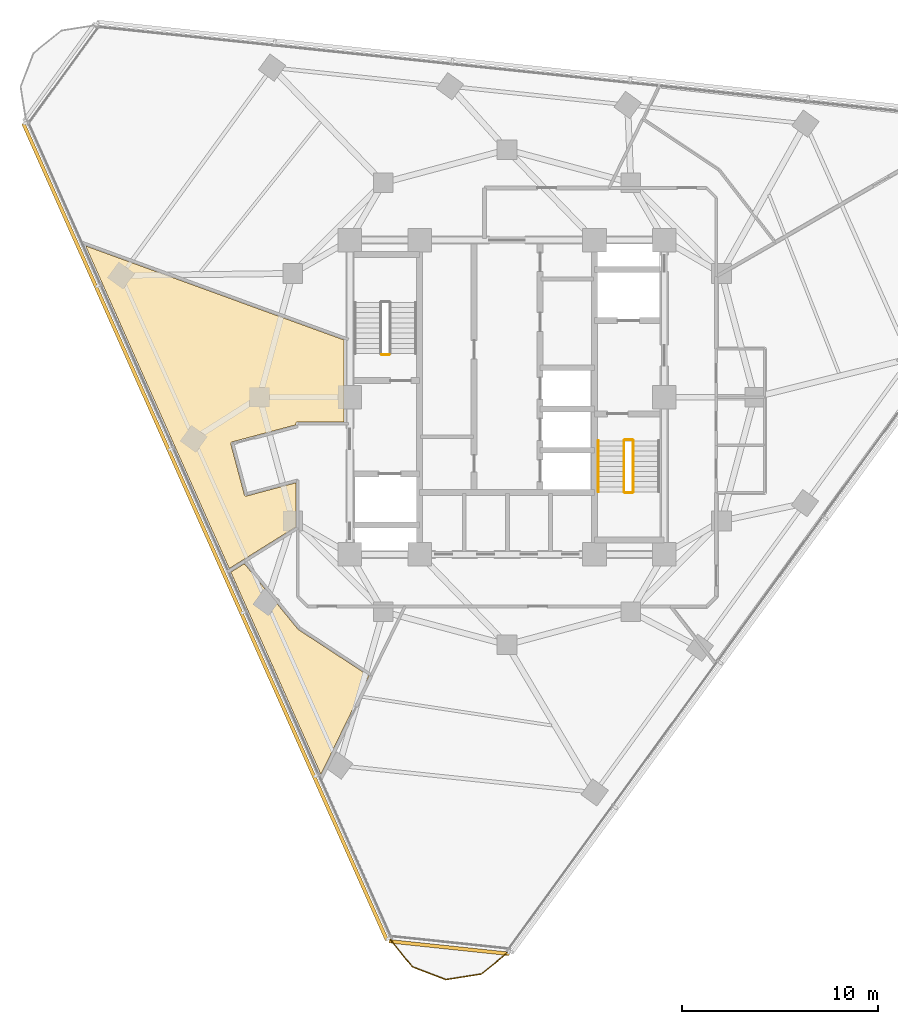
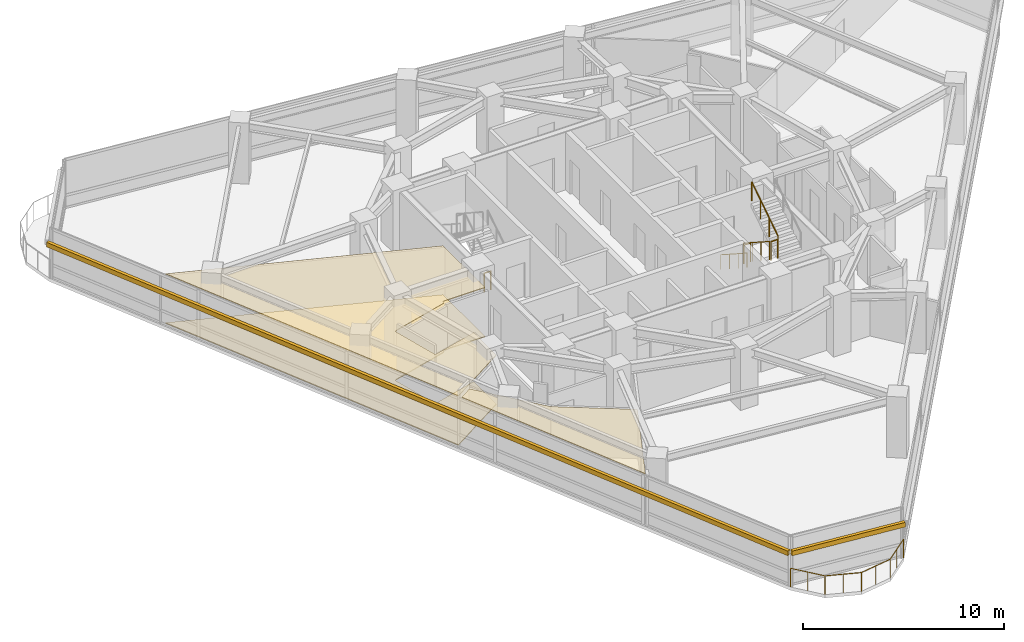
# One storey, part 12 of 14: 7 railings, 3 coverings, 2 shading devices.
"""IFC4 building model written with IfcOpenShell, lengths in metres."""

from ifc_helpers import new_model, si_unit, direction, frame, origin, origin_2d, place, context, subcontext, project, spatial, polyline, rectangle, circle, outline, extrude, material, layer, layer_set, type_object, element, save


model = new_model("IFC4")

# Units and contexts
model_context = context("Model", 3, precision=1e-05, world=origin(), true_north=direction((0.0, 1.0)))
body_context = subcontext(model_context, "Body", "Model", "MODEL_VIEW")
ifc_project = project(units=[si_unit("LENGTHUNIT", "METRE"), si_unit("AREAUNIT", "SQUARE_METRE"), si_unit("VOLUMEUNIT", "CUBIC_METRE"), si_unit("PLANEANGLEUNIT", "RADIAN"), si_unit("MASSUNIT", "GRAM", prefix="KILO")], contexts=[model_context])

# Site, building, storey
site_placement = place(None, origin())
site = spatial("IfcSite", under=ifc_project, at=site_placement, CompositionType="ELEMENT")
building_placement = place(site_placement, origin())
building = spatial("IfcBuilding", under=site, at=building_placement, Name="Terralouvre Media Tower", CompositionType="ELEMENT")
storey_placement = place(building_placement, frame((0.0, 0.0, 241.10009765625)))
storey = spatial("IfcBuildingStorey", under=building, at=storey_placement, Name="L62", CompositionType="ELEMENT", Elevation=241.10009765625)

# Coverings
ifc_material_1 = material(Name="Resilient elastomer acoustic broadcast studio flooring")
ifc_layer_1 = layer(ifc_material_1, 0.050048828125, Name="Broadcast Studio Acoustic Floating Floor FL-AC1")
ifc_layer_set_1 = layer_set([ifc_layer_1], Name="Resilient elastomer acoustic broadcast studio flooring")
covering_type_1 = type_object("IfcCoveringType", Name="Broadcast Studio Acoustic Floating Floor FL-AC1", PredefinedType="FLOORING", material=ifc_layer_set_1)
covering_1_placement = place(storey_placement, frame((0.0, 0.0, 0.0), z_axis=(0.0, 0.0, 1.0), x_axis=(0.587785252292, 0.809016994375, 0.0)))
element("IfcCovering", 1, at=covering_1_placement, inside=storey, type_object=covering_type_1, Name="L62 OB Coordination Crew Room 1 Acoustic Floating Floor", PredefinedType="FLOORING", context=body_context, shape_type="SweptSolid", body=[
    extrude(outline(polyline([(-11.657958984375, 4.81787109375), (-9.84228515625, 6.136962890625), (-11.8544921875, 7.766357421875), (-11.862060546875, 7.77294921875), (-11.86865234375, 7.7802734375), (-11.87451171875, 7.7880859375), (-11.879638671875, 7.79638671875), (-11.8837890625, 7.80517578125), (-11.88720703125, 7.814453125), (-11.8896484375, 7.823974609375), (-11.89111328125, 7.833740234375), (-11.8916015625, 7.843505859375), (-11.891357421875, 7.853271484375), (-11.889892578125, 7.863037109375), (-11.8876953125, 7.87255859375), (-11.88427734375, 7.8818359375), (-11.880126953125, 7.890625), (-11.875244140625, 7.899169921875), (-11.869384765625, 7.9072265625), (-10.200927734375, 9.966064453125), (-10.1943359375, 9.973388671875), (-10.187255859375, 9.97998046875), (-10.17919921875, 9.98583984375), (-10.1708984375, 9.990966796875), (-10.162109375, 9.9951171875), (-10.15283203125, 9.99853515625), (-10.143310546875, 10.0009765625), (-10.1337890625, 10.00244140625), (-10.123779296875, 10.003173828125), (-10.114013671875, 10.002685546875), (-10.104248046875, 10.001220703125), (-10.094970703125, 9.9990234375), (-10.08544921875, 9.99560546875), (-10.07666015625, 9.991455078125), (-10.068115234375, 9.986572265625), (-10.060302734375, 9.980712890625), (-7.45556640625, 7.870849609375), (-7.410888671875, 7.9033203125), (-7.402587890625, 7.90869140625), (-7.39404296875, 7.913330078125), (-7.384765625, 7.9169921875), (-7.37548828125, 7.919677734375), (-7.36572265625, 7.921630859375), (-7.35595703125, 7.92236328125), (-7.34619140625, 7.92236328125), (-7.33642578125, 7.92138671875), (-7.326904296875, 7.919189453125), (-7.317626953125, 7.916259765625), (-7.308349609375, 7.912353515625), (-7.2998046875, 7.90771484375), (-7.291748046875, 7.90234375), (-7.2841796875, 7.89599609375), (-7.27734375, 7.888916015625), (-7.271240234375, 7.88134765625), (-5.895751953125, 5.98828125), (-2.523681640625, 8.43798828125), (-6.37841796875, 21.881591796875), (-15.365478515625, 6.316162109375), (-14.558349609375, 5.98974609375), (-11.657958984375, 4.81787109375)])), origin(), (0.0, 0.0, 1.0), 0.0498046875),
])
ifc_material_2 = material(Name="Perforated aluminium acoustic ceiling baffle", Category="aluminium")
ifc_layer_2 = layer(ifc_material_2, 0.0400390625, Name="Perforated Acoustic Metal Tile Ceiling CL-AC1")
ifc_layer_set_2 = layer_set([ifc_layer_2], Name="Perforated aluminium acoustic ceiling baffle")
covering_type_2 = type_object("IfcCoveringType", Name="Perforated Acoustic Metal Tile Ceiling CL-AC1", PredefinedType="CEILING", material=ifc_layer_set_2)
covering_2_placement = place(storey_placement, frame((0.0, 0.0, 2.97998046875), z_axis=(0.0, 0.0, 1.0), x_axis=(0.587785252292, 0.809016994375, 0.0)))
element("IfcCovering", 2, at=covering_2_placement, inside=storey, type_object=covering_type_2, Name="L62 OB Coordination Crew Room 1 Acoustic Ceiling", PredefinedType="CEILING", context=body_context, shape_type="SweptSolid", body=[
    extrude(outline(polyline([(-11.657958984375, 4.81787109375), (-9.84228515625, 6.136962890625), (-11.8544921875, 7.766357421875), (-11.862060546875, 7.77294921875), (-11.86865234375, 7.7802734375), (-11.87451171875, 7.7880859375), (-11.879638671875, 7.79638671875), (-11.8837890625, 7.80517578125), (-11.88720703125, 7.814453125), (-11.8896484375, 7.823974609375), (-11.89111328125, 7.833740234375), (-11.8916015625, 7.843505859375), (-11.891357421875, 7.853271484375), (-11.889892578125, 7.863037109375), (-11.8876953125, 7.87255859375), (-11.88427734375, 7.8818359375), (-11.880126953125, 7.890625), (-11.875244140625, 7.899169921875), (-11.869384765625, 7.9072265625), (-10.200927734375, 9.966064453125), (-10.1943359375, 9.973388671875), (-10.187255859375, 9.97998046875), (-10.17919921875, 9.98583984375), (-10.1708984375, 9.990966796875), (-10.162109375, 9.9951171875), (-10.15283203125, 9.99853515625), (-10.143310546875, 10.0009765625), (-10.1337890625, 10.00244140625), (-10.123779296875, 10.003173828125), (-10.114013671875, 10.002685546875), (-10.104248046875, 10.001220703125), (-10.094970703125, 9.9990234375), (-10.08544921875, 9.99560546875), (-10.07666015625, 9.991455078125), (-10.068115234375, 9.986572265625), (-10.060302734375, 9.980712890625), (-7.45556640625, 7.870849609375), (-7.410888671875, 7.9033203125), (-7.402587890625, 7.90869140625), (-7.39404296875, 7.913330078125), (-7.384765625, 7.9169921875), (-7.37548828125, 7.919677734375), (-7.36572265625, 7.921630859375), (-7.35595703125, 7.92236328125), (-7.34619140625, 7.92236328125), (-7.33642578125, 7.92138671875), (-7.326904296875, 7.919189453125), (-7.317626953125, 7.916259765625), (-7.308349609375, 7.912353515625), (-7.2998046875, 7.90771484375), (-7.291748046875, 7.90234375), (-7.2841796875, 7.89599609375), (-7.27734375, 7.888916015625), (-7.271240234375, 7.88134765625), (-5.895751953125, 5.98828125), (-2.523681640625, 8.43798828125), (-6.37841796875, 21.881591796875), (-15.365478515625, 6.316162109375), (-14.558349609375, 5.98974609375), (-11.657958984375, 4.81787109375)])), origin(), (0.0, 0.0, 1.0), 0.0400390625),
])
covering_3_placement = place(storey_placement, frame((0.0, 0.0, 2.97998046875), z_axis=(0.0, 0.0, 1.0), x_axis=(0.587785252292, 0.809016994375, 0.0)))
element("IfcCovering", 3, at=covering_3_placement, inside=storey, type_object=covering_type_2, Name="L62 Sports Commentary Control Room 3 Acoustic Ceiling", PredefinedType="CEILING", context=body_context, shape_type="SweptSolid", body=[
    extrude(outline(polyline([(-15.8134765625, 1.646240234375), (-15.813232421875, 1.656494140625), (-15.812255859375, 1.666748046875), (-15.810302734375, 1.676513671875), (-14.71484375, 5.83740234375), (-15.46630859375, 6.141357421875), (-21.10107421875, -3.619140625), (-15.607177734375, -2.650390625), (-15.8134765625, 1.646240234375)])), origin(), (0.0, 0.0, 1.0), 0.0400390625),
])

# Railings
ifc_material_3 = material(Name="Stainless steel 316 handrail and balustrade", Category="steel")
ifc_layer_3 = layer(ifc_material_3, 0.06005859375, Name="Roof Edge Safety Guardrail GR-ROOF1")
ifc_layer_set_3 = layer_set([ifc_layer_3], Name="Stainless steel 316 handrail and balustrade")
railing_type_1 = type_object("IfcRailingType", Name="Roof Edge Safety Guardrail GR-ROOF1", PredefinedType="GUARDRAIL", material=ifc_layer_set_3)
railing_1_placement = place(storey_placement, frame((-5.98583984375, -27.5546875, 0.0)))
element("IfcRailing", 4, at=railing_1_placement, inside=storey, type_object=railing_type_1, Name="L62 Wind-Corner Perimeter Safety Guardrail C0", PredefinedType="GUARDRAIL", context=body_context, shape_type="SweptSolid", body=[
    extrude(circle(Radius=0.02099609375, at=origin_2d()), frame((0.0, 0.0, 1.12890625), z_axis=(0.629125588714, -0.777303668861, 0.0), x_axis=(0.777303668861, 0.629125588714, 0.0)), (0.0, 0.0, 1.0), 1.837158203125),
    extrude(circle(Radius=0.02099609375, at=origin_2d()), frame((1.15576171875, -1.427978515625, 1.12890625), z_axis=(0.933530480619, -0.358498035915, 0.0), x_axis=(0.358498035915, 0.933530480619, 0.0)), (0.0, 0.0, 1.0), 1.836669921875),
    extrude(circle(Radius=0.02099609375, at=origin_2d()), frame((2.870361328125, -2.08642578125, 1.12890625), z_axis=(0.987666866591, 0.156569986387, 0.0), x_axis=(-0.156569986387, 0.987666866591, 0.0)), (0.0, 0.0, 1.0), 1.8369140625),
    extrude(circle(Radius=0.02099609375, at=origin_2d()), frame((4.6845703125, -1.798828125, 1.12890625), z_axis=(0.777015769995, 0.629481130122, 0.0), x_axis=(-0.629481130122, 0.777015769995, 0.0)), (0.0, 0.0, 1.0), 1.8369140625),
    extrude(circle(Radius=0.01904296875, at=origin_2d()), origin(), (0.0, 0.0, 1.0), 1.10791015625),
    extrude(circle(Radius=0.01904296875, at=origin_2d()), frame((0.577880859375, -0.7138671875, 0.0)), (0.0, 0.0, 1.0), 1.10791015625),
    extrude(circle(Radius=0.01904296875, at=origin_2d()), frame((1.15576171875, -1.427978515625, 0.0)), (0.0, 0.0, 1.0), 1.10791015625),
    extrude(circle(Radius=0.01904296875, at=origin_2d()), frame((2.01318359375, -1.75732421875, 0.0)), (0.0, 0.0, 1.0), 1.10791015625),
    extrude(circle(Radius=0.01904296875, at=origin_2d()), frame((2.870361328125, -2.08642578125, 0.0)), (0.0, 0.0, 1.0), 1.10791015625),
    extrude(circle(Radius=0.01904296875, at=origin_2d()), frame((3.77734375, -1.942626953125, 0.0)), (0.0, 0.0, 1.0), 1.10791015625),
    extrude(circle(Radius=0.01904296875, at=origin_2d()), frame((4.6845703125, -1.798828125, 0.0)), (0.0, 0.0, 1.0), 1.10791015625),
    extrude(circle(Radius=0.01904296875, at=origin_2d()), frame((5.398193359375, -1.220703125, 0.0)), (0.0, 0.0, 1.0), 1.10791015625),
    extrude(circle(Radius=0.01904296875, at=origin_2d()), frame((6.11181640625, -0.642578125, 0.0)), (0.0, 0.0, 1.0), 1.10791015625),
])
ifc_material_4 = material(Name="Stainless steel 316 handrail and balustrade", Category="steel")
ifc_layer_4 = layer(ifc_material_4, 0.050048828125, Name="Stair Flight Wall Handrail HR-INT1")
ifc_layer_set_4 = layer_set([ifc_layer_4], Name="Stainless steel 316 handrail and balustrade")
railing_type_2 = type_object("IfcRailingType", Name="Stair Flight Wall Handrail HR-INT1", PredefinedType="HANDRAIL", material=ifc_layer_set_4)
railing_2_placement = place(storey_placement, frame((4.64990234375, -2.219970703125, 0.16796875)))
element("IfcRailing", 5, at=railing_2_placement, inside=storey, type_object=railing_type_2, Name="L62 ST-02 stair handrail 1", PredefinedType="HANDRAIL", context=body_context, shape_type="SweptSolid", body=[
    extrude(circle(Radius=0.02392578125, at=origin_2d()), frame((0.0, 0.0, 0.8759765625), z_axis=(0.0, -0.839648411786, 0.543130320075), x_axis=(1.0, 0.0, 0.0)), (0.0, 0.0, 1.0), 3.0966796875),
    extrude(circle(Radius=0.02099609375, at=origin_2d()), origin(), (0.0, 0.0, 1.0), 0.851806640625),
    extrude(circle(Radius=0.02099609375, at=origin_2d()), frame((0.0, -0.86669921875, 0.560546875)), (0.0, 0.0, 1.0), 0.851806640625),
    extrude(circle(Radius=0.02099609375, at=origin_2d()), frame((0.0, -1.7333984375, 1.121337890625)), (0.0, 0.0, 1.0), 0.851806640625),
    extrude(circle(Radius=0.02099609375, at=origin_2d()), frame((0.0, -2.60009765625, 1.681884765625)), (0.0, 0.0, 1.0), 0.851806640625),
])
ifc_material_5 = material(Name="Stainless steel 316 handrail and balustrade", Category="steel")
ifc_layer_5 = layer(ifc_material_5, 0.050048828125, Name="Stairwell Safety Guardrail GR-INT1")
ifc_layer_set_5 = layer_set([ifc_layer_5], Name="Stainless steel 316 handrail and balustrade")
railing_type_3 = type_object("IfcRailingType", Name="Stairwell Safety Guardrail GR-INT1", PredefinedType="GUARDRAIL", material=ifc_layer_set_5)
railing_3_placement = place(storey_placement, frame((-6.0, 2.169921875, 0.0)))
element("IfcRailing", 6, at=railing_3_placement, inside=storey, type_object=railing_type_3, Name="L62 ST-01 stair guard 4", PredefinedType="GUARDRAIL", context=body_context, shape_type="SweptSolid", body=[
    extrude(circle(Radius=0.02392578125, at=origin_2d()), frame((0.0, 0.0, 1.1259765625), z_axis=(-1.0, 0.0, 0.0), x_axis=(0.0, -1.0, 0.0)), (0.0, 0.0, 1.0), 0.3798828125),
    extrude(circle(Radius=0.02099609375, at=origin_2d()), origin(), (0.0, 0.0, 1.0), 1.101806640625),
    extrude(circle(Radius=0.02099609375, at=origin_2d()), frame((-0.3798828125, 0.0, 0.0)), (0.0, 0.0, 1.0), 1.101806640625),
])
railing_4_placement = place(storey_placement, frame((5.949951171875, -2.219970703125, 0.16796875)))
element("IfcRailing", 7, at=railing_4_placement, inside=storey, type_object=railing_type_3, Name="L62 ST-02 stair guard 1", PredefinedType="GUARDRAIL", context=body_context, shape_type="SweptSolid", body=[
    extrude(circle(Radius=0.02392578125, at=origin_2d()), frame((0.0, 0.0, 1.1259765625), z_axis=(0.0, -0.839648411786, 0.543130320075), x_axis=(1.0, 0.0, 0.0)), (0.0, 0.0, 1.0), 3.0966796875),
    extrude(circle(Radius=0.02099609375, at=origin_2d()), origin(), (0.0, 0.0, 1.0), 1.101806640625),
    extrude(circle(Radius=0.02099609375, at=origin_2d()), frame((0.0, -0.86669921875, 0.560546875)), (0.0, 0.0, 1.0), 1.101806640625),
    extrude(circle(Radius=0.02099609375, at=origin_2d()), frame((0.0, -1.7333984375, 1.121337890625)), (0.0, 0.0, 1.0), 1.101806640625),
    extrude(circle(Radius=0.02099609375, at=origin_2d()), frame((0.0, -2.60009765625, 1.681884765625)), (0.0, 0.0, 1.0), 1.101806640625),
])
railing_5_placement = place(storey_placement, frame((6.0, -4.8701171875, 1.849853515625)))
element("IfcRailing", 8, at=railing_5_placement, inside=storey, type_object=railing_type_3, Name="L62 ST-02 stair guard 2", PredefinedType="GUARDRAIL", context=body_context, shape_type="SweptSolid", body=[
    extrude(circle(Radius=0.02392578125, at=origin_2d()), frame((0.0, 0.0, 1.1259765625), z_axis=(1.0, 0.0, 0.0), x_axis=(0.0, 1.0, 0.0)), (0.0, 0.0, 1.0), 0.3798828125),
    extrude(circle(Radius=0.02099609375, at=origin_2d()), origin(), (0.0, 0.0, 1.0), 1.101806640625),
    extrude(circle(Radius=0.02099609375, at=origin_2d()), frame((0.3798828125, 0.0, 0.0)), (0.0, 0.0, 1.0), 1.101806640625),
])
railing_6_placement = place(storey_placement, frame((6.429931640625, -4.820068359375, 2.01806640625)))
element("IfcRailing", 9, at=railing_6_placement, inside=storey, type_object=railing_type_3, Name="L62 ST-02 stair guard 3", PredefinedType="GUARDRAIL", context=body_context, shape_type="SweptSolid", body=[
    extrude(circle(Radius=0.02392578125, at=origin_2d()), frame((0.0, 0.0, 1.1259765625), z_axis=(0.0, 0.839648411786, 0.543130320075), x_axis=(-1.0, 0.0, 0.0)), (0.0, 0.0, 1.0), 3.0966796875),
    extrude(circle(Radius=0.02099609375, at=origin_2d()), origin(), (0.0, 0.0, 1.0), 1.101806640625),
    extrude(circle(Radius=0.02099609375, at=origin_2d()), frame((0.0, 0.86669921875, 0.560546875)), (0.0, 0.0, 1.0), 1.101806640625),
    extrude(circle(Radius=0.02099609375, at=origin_2d()), frame((0.0, 1.7333984375, 1.121337890625)), (0.0, 0.0, 1.0), 1.101806640625),
    extrude(circle(Radius=0.02099609375, at=origin_2d()), frame((0.0, 2.60009765625, 1.681884765625)), (0.0, 0.0, 1.0), 1.101806640625),
])
railing_7_placement = place(storey_placement, frame((6.0, -2.169921875, 0.0)))
element("IfcRailing", 10, at=railing_7_placement, inside=storey, type_object=railing_type_3, Name="L62 ST-02 stair guard 4", PredefinedType="GUARDRAIL", context=body_context, shape_type="SweptSolid", body=[
    extrude(circle(Radius=0.02392578125, at=origin_2d()), frame((0.0, 0.0, 1.1259765625), z_axis=(1.0, 0.0, 0.0), x_axis=(0.0, 1.0, 0.0)), (0.0, 0.0, 1.0), 0.3798828125),
    extrude(circle(Radius=0.02099609375, at=origin_2d()), origin(), (0.0, 0.0, 1.0), 1.101806640625),
    extrude(circle(Radius=0.02099609375, at=origin_2d()), frame((0.3798828125, 0.0, 0.0)), (0.0, 0.0, 1.0), 1.101806640625),
])

# Shading devices
ifc_material_6 = material(Name="Extruded terracotta baguette sunshade louvres", Category="masonry")
shading_device_type = type_object("IfcShadingDeviceType", Name="Terracotta Baguette Sunshade Louvre Screen TB-LV1", PredefinedType="USERDEFINED", material=ifc_material_6)
shading_device_1_placement = place(storey_placement, frame((-15.3701171875, -6.84326171875, 2.02392578125), z_axis=(0.0, 0.0, 1.0), x_axis=(0.406736679636, -0.913545441365, 0.0)))
element("IfcShadingDevice", 11, at=shading_device_1_placement, inside=storey, type_object=shading_device_type, Name="CW-L62-F2 Terracotta Baguette Sunshade Louvre", ObjectType="BAGUETTE", PredefinedType="USERDEFINED", context=body_context, shape_type="SweptSolid", body=[
    extrude(rectangle(XDim=45.5, YDim=0.179931640625, at=origin_2d()), origin(), (0.0, 0.0, 1.0), 0.280029296875),
])
shading_device_2_placement = place(storey_placement, frame((-2.944091796875, -28.01025390625, 2.02392578125), z_axis=(0.0, 0.0, 1.0), x_axis=(0.994521944551, -0.104527995322, 0.0)))
element("IfcShadingDevice", 12, at=shading_device_2_placement, inside=storey, type_object=shading_device_type, Name="CW-L62-C0 Terracotta Baguette Sunshade Louvre", ObjectType="BAGUETTE", PredefinedType="USERDEFINED", context=body_context, shape_type="SweptSolid", body=[
    extrude(rectangle(XDim=6.148681640625, YDim=0.179931640625, at=origin_2d()), origin(), (0.0, 0.0, 1.0), 0.280029296875),
])

save(model, "model.ifc")
